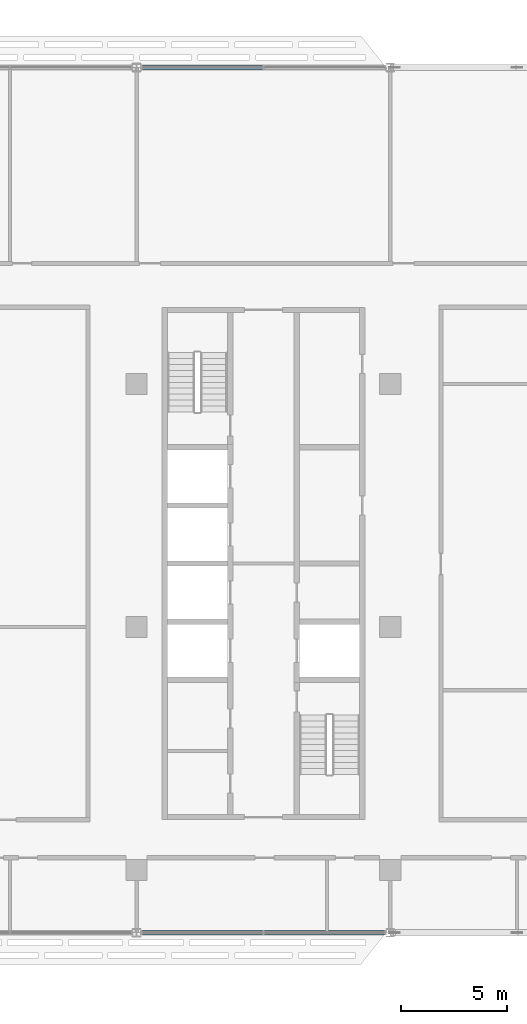
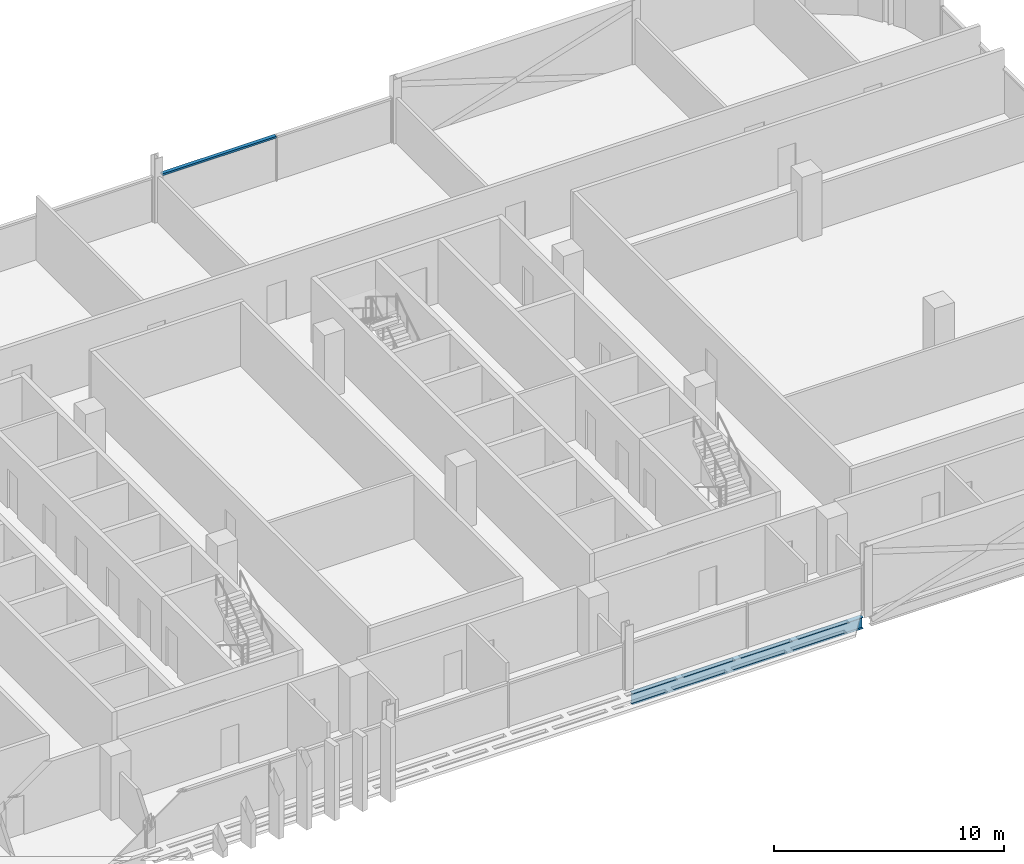
# One storey, part 11 of 33: 1 beam, 1 member, 1 element without a shape of its own.
"""IFC4 building model written with IfcOpenShell, lengths in metres."""

from ifc_helpers import new_model, si_unit, direction, frame, origin, origin_2d, place, context, subcontext, project, spatial, rectangle, i_section, extrude, material, material_profile, profile_set, type_object, element, aggregate, save


model = new_model("IFC4")

# Units and contexts
model_context = context("Model", 3, precision=1e-05, world=origin(), true_north=direction((0.0, 1.0)))
body_context = subcontext(model_context, "Body", "Model", "MODEL_VIEW")
ifc_project = project(units=[si_unit("LENGTHUNIT", "METRE"), si_unit("AREAUNIT", "SQUARE_METRE"), si_unit("VOLUMEUNIT", "CUBIC_METRE"), si_unit("PLANEANGLEUNIT", "RADIAN"), si_unit("MASSUNIT", "GRAM", prefix="KILO")], contexts=[model_context])

# Site, building, storey
site_placement = place(None, origin())
site = spatial("IfcSite", under=ifc_project, at=site_placement, CompositionType="ELEMENT")
building_placement = place(site_placement, origin())
building = spatial("IfcBuilding", under=site, at=building_placement, Name="Mahtab Terrace Research Tower", CompositionType="ELEMENT")
storey_placement = place(building_placement, frame((0.0, 0.0, 255.199951171875)))
storey = spatial("IfcBuildingStorey", under=building, at=storey_placement, Name="L62", CompositionType="ELEMENT", Elevation=255.199951171875)

# Curtain wall, member
ifc_material_1 = material(Name="Office ribbon curtain wall")
curtain_wall_type = type_object("IfcCurtainWallType", Name="Office ribbon curtain wall", PredefinedType="NOTDEFINED", material=ifc_material_1)
curtain_wall_placement = place(storey_placement, origin())
curtain_wall = element("IfcCurtainWall", 1, at=curtain_wall_placement, inside=storey, type_object=curtain_wall_type, Name="EN.L62.3.6", PredefinedType="NOTDEFINED")
ifc_material_2 = material(Name="Natural anodised aluminium", Category="aluminium")
ifc_material_profile_1 = material_profile(ifc_material_2, rectangle(XDim=0.179931640625, YDim=0.10009765625, at=origin_2d()), Name="TRANSOM 100x180")
ifc_profile_set_1 = profile_set([ifc_material_profile_1], Name="Natural anodised aluminium")
member_type = type_object("IfcMemberType", Name="Office ribbon curtain wall transom", PredefinedType="USERDEFINED", material=ifc_profile_set_1)
member_placement = place(storey_placement, frame((23.969970703125, 26.472900390625, 2.351318359375), z_axis=(-1.0, 0.0, 0.0), x_axis=(0.0, -1.0, 0.0)))
member = element("IfcMember", 2, at=member_placement, type_object=member_type, Name="CWO-7 transom 2", ObjectType="TRANSOM", PredefinedType="USERDEFINED", context=body_context, shape_type="SweptSolid", body=[
    extrude(rectangle(XDim=0.179931640625, YDim=0.10009765625, at=origin_2d()), origin(), (0.0, 0.0, 1.0), 5.717041015625),
])
aggregate(curtain_wall, [member])

# Beam
ifc_material_3 = material(Name="Steel ASTM A992 Gr 50", Category="steel")
ifc_material_profile_2 = material_profile(ifc_material_3, i_section(OverallWidth=0.228271484375, OverallDepth=0.607177734375, WebThickness=0.01123046875, FlangeThickness=0.017333984375, at=origin_2d()), Name="W24X76")
ifc_profile_set_2 = profile_set([ifc_material_profile_2], Name="Steel ASTM A992 Gr 50")
beam_type = type_object("IfcBeamType", Name="W24x76 beam BS2476", PredefinedType="BEAM", material=ifc_profile_set_2)
beam_placement = place(storey_placement, frame((18.199462890625, -14.472900390625, -0.6435546875), z_axis=(1.0, 0.0, 0.0), x_axis=(0.0, 1.0, 0.0)))
element("IfcBeam", 3, at=beam_placement, inside=storey, type_object=beam_type, Name="Spandrel beam L62 17", PredefinedType="BEAM", context=body_context, shape_type="SweptSolid", body=[
    extrude(i_section(OverallWidth=0.228271484375, OverallDepth=0.607177734375, WebThickness=0.01123046875, FlangeThickness=0.017333984375, at=origin_2d()), origin(), (0.0, 0.0, 1.0), 11.60107421875),
])

save(model, "model.ifc")
